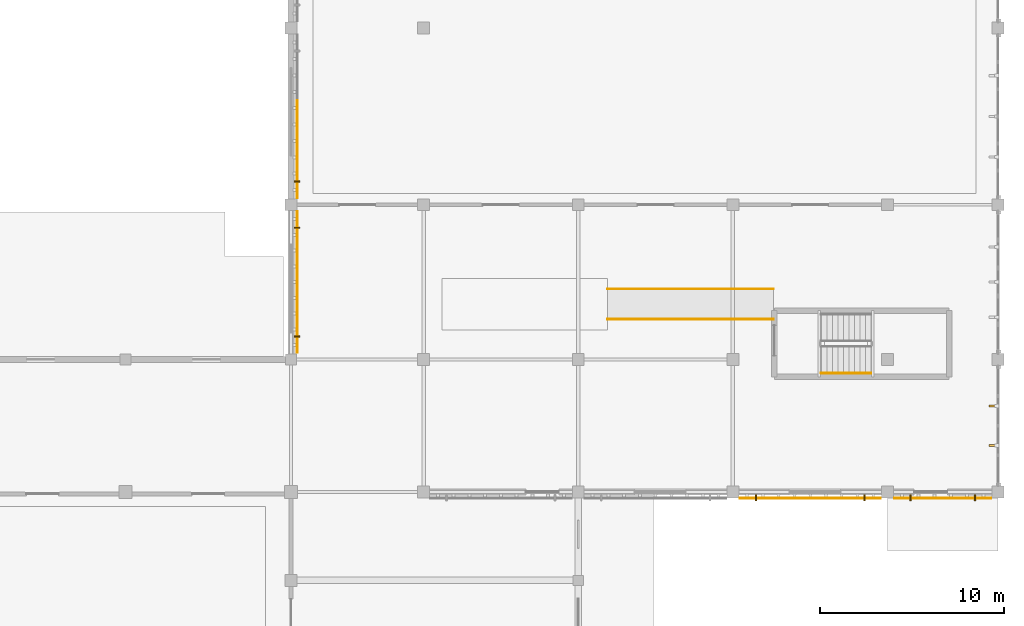
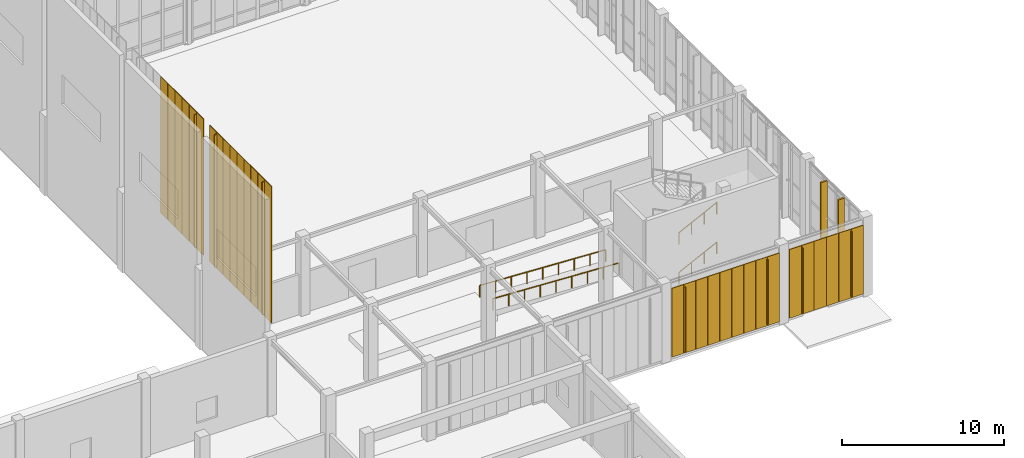
# One storey, part 107 of 110: 32 coverings, 7 shading devices, 4 railings.
"""IFC4 building model written with IfcOpenShell, lengths in metres."""

from ifc_helpers import new_model, si_unit, direction, frame, origin, origin_2d, place, context, subcontext, project, spatial, rectangle, circle, extrude, material, layer, layer_set, type_object, element, save


model = new_model("IFC4")

# Units and contexts
model_context = context("Model", 3, precision=1e-05, world=origin(), true_north=direction((0.0, 1.0)))
body_context = subcontext(model_context, "Body", "Model", "MODEL_VIEW")
ifc_project = project(units=[si_unit("LENGTHUNIT", "METRE"), si_unit("AREAUNIT", "SQUARE_METRE"), si_unit("VOLUMEUNIT", "CUBIC_METRE"), si_unit("PLANEANGLEUNIT", "RADIAN"), si_unit("MASSUNIT", "GRAM", prefix="KILO")], contexts=[model_context])

# Site, building, storey
site_placement = place(None, origin())
site = spatial("IfcSite", under=ifc_project, at=site_placement, CompositionType="ELEMENT")
building_placement = place(site_placement, origin())
building = spatial("IfcBuilding", under=site, at=building_placement, Name="Tizgana Railside Sports Hall", CompositionType="ELEMENT")
storey_placement = place(building_placement, origin())
storey = spatial("IfcBuildingStorey", under=building, at=storey_placement, Name="L00", CompositionType="ELEMENT", Elevation=0.0)

# Shading devices
ifc_material_1 = material(Name="Glulam GL28h", Category="wood")
shading_device_type = type_object("IfcShadingDeviceType", Name="Glulam Vertical Brise-Soleil Fin 320", PredefinedType="JALOUSIE", material=ifc_material_1)
for number, where, z_axis, x_axis, name in (
    (1, (164.949951171875, 72.8759765625, 0.449951171875), (0.0, 0.0, 1.0), (-1.0, 0.0, 0.0), "L00 Glulam Fin FIN-0005"),
    (2, (159.050048828125, 72.8759765625, 0.449951171875), (0.0, 0.0, 1.0), (-1.0, 0.0, 0.0), "L00 Glulam Fin FIN-0006"),
    (3, (170.949951171875, 72.8759765625, 0.449951171875), (0.0, 0.0, 1.0), (-1.0, 0.0, 0.0), "L00 Glulam Fin FIN-0007"),
    (4, (167.449951171875, 72.8759765625, 0.449951171875), (0.0, 0.0, 1.0), (-1.0, 0.0, 0.0), "L00 Glulam Fin FIN-0008"),
):
    element("IfcShadingDevice", number, at=place(storey_placement, frame(where, z_axis=z_axis, x_axis=x_axis)), inside=storey, type_object=shading_device_type, Name=name, PredefinedType="JALOUSIE", context=body_context, shape_type="SweptSolid", body=[
        extrude(rectangle(XDim=0.080078125, YDim=0.320068359375, at=origin_2d()), origin(), (0.0, 0.0, 1.0), 4.89990234375),
    ])
for number, where, z_axis, x_axis, name in (
    (5, (134.1240234375, 87.550048828125, 6.64990234375), (0.0, 0.0, 1.0), (0.0, -1.0, 0.0), "L00 Glulam Fin FIN-0009"),
    (6, (134.1240234375, 81.64990234375, 6.64990234375), (0.0, 0.0, 1.0), (0.0, -1.0, 0.0), "L00 Glulam Fin FIN-0010"),
    (7, (134.1240234375, 90.050048828125, 6.64990234375), (0.0, 0.0, 1.0), (0.0, -1.0, 0.0), "L00 Glulam Fin FIN-0012"),
):
    element("IfcShadingDevice", number, at=place(storey_placement, frame(where, z_axis=z_axis, x_axis=x_axis)), inside=storey, type_object=shading_device_type, Name=name, PredefinedType="JALOUSIE", context=body_context, shape_type="SweptSolid", body=[
        extrude(rectangle(XDim=0.080078125, YDim=0.320068359375, at=origin_2d()), origin(), (0.0, 0.0, 1.0), 10.0),
    ])

# Coverings
ifc_layer_1 = layer(ifc_material_1, 0.139892578125, Name="Glulam GL28h")
ifc_layer_set_1 = layer_set([ifc_layer_1], Name="Glulam GL28h")
covering_type_1 = type_object("IfcCoveringType", Name="Mass-Timber Brise-Soleil & Pergola Fin", PredefinedType="CLADDING", material=ifc_layer_set_1)
for number, where, z_axis, x_axis, name in (
    (8, (171.919921875, 75.726806640625, 0.0849609375), (0.0, 0.0, 1.0), (0.0, 1.0, 0.0), "L00 Timber Brise-Soleil Fin"),
    (9, (171.919921875, 77.873291015625, 0.0849609375), (0.0, 0.0, 1.0), (0.0, 1.0, 0.0), "L00 Timber Brise-Soleil Fin"),
):
    element("IfcCovering", number, at=place(storey_placement, frame(where, z_axis=z_axis, x_axis=x_axis)), inside=storey, type_object=covering_type_1, Name=name, PredefinedType="CLADDING", context=body_context, shape_type="SweptSolid", body=[
        extrude(rectangle(XDim=0.1201171875, YDim=0.43994140625, at=origin_2d()), origin(), (0.0, 0.0, 1.0), 5.635009765625),
    ])
ifc_material_2 = material(Name="Anodised perforated aluminium screen", Category="aluminium")
ifc_layer_2 = layer(ifc_material_2, 0.044921875, Name="Anodised perforated aluminium screen")
ifc_layer_set_2 = layer_set([ifc_layer_2], Name="Anodised perforated aluminium screen")
covering_type_2 = type_object("IfcCoveringType", Name="Perforated Aluminium Hall Screen 900", PredefinedType="CLADDING", material=ifc_layer_set_2)
for number, where, z_axis, x_axis, name in (
    (10, (165.422119140625, 72.85498046875, 0.2998046875), (0.0, 0.0, 1.0), (-1.0, 0.0, 0.0), "L00 Perforated Screen SCR-0439"),
    (11, (164.566650390625, 72.85498046875, 0.2998046875), (0.0, 0.0, 1.0), (-1.0, 0.0, 0.0), "L00 Perforated Screen SCR-0440"),
    (12, (163.711181640625, 72.85498046875, 0.2998046875), (0.0, 0.0, 1.0), (-1.0, 0.0, 0.0), "L00 Perforated Screen SCR-0441"),
    (13, (162.855712890625, 72.85498046875, 0.2998046875), (0.0, 0.0, 1.0), (-1.0, 0.0, 0.0), "L00 Perforated Screen SCR-0442"),
    (14, (162.0, 72.85498046875, 0.2998046875), (0.0, 0.0, 1.0), (-1.0, 0.0, 0.0), "L00 Perforated Screen SCR-0443"),
    (15, (161.144287109375, 72.85498046875, 0.2998046875), (0.0, 0.0, 1.0), (-1.0, 0.0, 0.0), "L00 Perforated Screen SCR-0444"),
    (16, (160.288818359375, 72.85498046875, 0.2998046875), (0.0, 0.0, 1.0), (-1.0, 0.0, 0.0), "L00 Perforated Screen SCR-0445"),
    (17, (159.433349609375, 72.85498046875, 0.2998046875), (0.0, 0.0, 1.0), (-1.0, 0.0, 0.0), "L00 Perforated Screen SCR-0446"),
    (18, (158.577880859375, 72.85498046875, 0.2998046875), (0.0, 0.0, 1.0), (-1.0, 0.0, 0.0), "L00 Perforated Screen SCR-0447"),
):
    element("IfcCovering", number, at=place(storey_placement, frame(where, z_axis=z_axis, x_axis=x_axis)), inside=storey, type_object=covering_type_2, Name=name, PredefinedType="CLADDING", context=body_context, shape_type="SweptSolid", body=[
        extrude(rectangle(XDim=0.837646484375, YDim=0.044921875, at=origin_2d()), origin(), (0.0, 0.0, 1.0), 5.199951171875),
    ])
for number, where, z_axis, x_axis, name in (
    (19, (171.408203125, 72.85498046875, 0.2998046875), (0.0, 0.0, 1.0), (-1.0, 0.0, 0.0), "L00 Perforated Screen SCR-0448"),
    (20, (170.52490234375, 72.85498046875, 0.2998046875), (0.0, 0.0, 1.0), (-1.0, 0.0, 0.0), "L00 Perforated Screen SCR-0449"),
    (21, (169.6416015625, 72.85498046875, 0.2998046875), (0.0, 0.0, 1.0), (-1.0, 0.0, 0.0), "L00 Perforated Screen SCR-0450"),
    (22, (168.75830078125, 72.85498046875, 0.2998046875), (0.0, 0.0, 1.0), (-1.0, 0.0, 0.0), "L00 Perforated Screen SCR-0451"),
    (23, (167.875, 72.85498046875, 0.2998046875), (0.0, 0.0, 1.0), (-1.0, 0.0, 0.0), "L00 Perforated Screen SCR-0452"),
    (24, (166.99169921875, 72.85498046875, 0.2998046875), (0.0, 0.0, 1.0), (-1.0, 0.0, 0.0), "L00 Perforated Screen SCR-0453"),
):
    element("IfcCovering", number, at=place(storey_placement, frame(where, z_axis=z_axis, x_axis=x_axis)), inside=storey, type_object=covering_type_2, Name=name, PredefinedType="CLADDING", context=body_context, shape_type="SweptSolid", body=[
        extrude(rectangle(XDim=0.865234375, YDim=0.044921875, at=origin_2d()), origin(), (0.0, 0.0, 1.0), 5.199951171875),
    ])
for number, where, z_axis, x_axis, name in (
    (25, (134.14501953125, 88.022216796875, 6.5), (0.0, 0.0, 1.0), (0.0, -1.0, 0.0), "L00 Perforated Screen SCR-0454"),
    (26, (134.14501953125, 87.166748046875, 6.5), (0.0, 0.0, 1.0), (0.0, -1.0, 0.0), "L00 Perforated Screen SCR-0455"),
    (27, (134.14501953125, 86.31103515625, 6.5), (0.0, 0.0, 1.0), (0.0, -1.0, 0.0), "L00 Perforated Screen SCR-0456"),
    (28, (134.14501953125, 85.45556640625, 6.5), (0.0, 0.0, 1.0), (0.0, -1.0, 0.0), "L00 Perforated Screen SCR-0457"),
    (29, (134.14501953125, 84.60009765625, 6.5), (0.0, 0.0, 1.0), (0.0, -1.0, 0.0), "L00 Perforated Screen SCR-0458"),
    (30, (134.14501953125, 83.744384765625, 6.5), (0.0, 0.0, 1.0), (0.0, -1.0, 0.0), "L00 Perforated Screen SCR-0459"),
    (31, (134.14501953125, 82.888916015625, 6.5), (0.0, 0.0, 1.0), (0.0, -1.0, 0.0), "L00 Perforated Screen SCR-0460"),
    (32, (134.14501953125, 82.033203125, 6.5), (0.0, 0.0, 1.0), (0.0, -1.0, 0.0), "L00 Perforated Screen SCR-0461"),
    (33, (134.14501953125, 81.177734375, 6.5), (0.0, 0.0, 1.0), (0.0, -1.0, 0.0), "L00 Perforated Screen SCR-0462"),
):
    element("IfcCovering", number, at=place(storey_placement, frame(where, z_axis=z_axis, x_axis=x_axis)), inside=storey, type_object=covering_type_2, Name=name, PredefinedType="CLADDING", context=body_context, shape_type="SweptSolid", body=[
        extrude(rectangle(XDim=0.837646484375, YDim=0.044921875, at=origin_2d()), origin(), (0.0, 0.0, 1.0), 10.300048828125),
    ])
for number, where, z_axis, x_axis, name in (
    (34, (134.14501953125, 94.044921875, 6.5), (0.0, 0.0, 1.0), (0.0, -1.0, 0.0), "L00 Perforated Screen SCR-0467"),
    (35, (134.14501953125, 93.155029296875, 6.5), (0.0, 0.0, 1.0), (0.0, -1.0, 0.0), "L00 Perforated Screen SCR-0468"),
    (36, (134.14501953125, 92.264892578125, 6.5), (0.0, 0.0, 1.0), (0.0, -1.0, 0.0), "L00 Perforated Screen SCR-0469"),
    (37, (134.14501953125, 91.375, 6.5), (0.0, 0.0, 1.0), (0.0, -1.0, 0.0), "L00 Perforated Screen SCR-0470"),
    (38, (134.14501953125, 90.485107421875, 6.5), (0.0, 0.0, 1.0), (0.0, -1.0, 0.0), "L00 Perforated Screen SCR-0471"),
    (39, (134.14501953125, 89.594970703125, 6.5), (0.0, 0.0, 1.0), (0.0, -1.0, 0.0), "L00 Perforated Screen SCR-0472"),
):
    element("IfcCovering", number, at=place(storey_placement, frame(where, z_axis=z_axis, x_axis=x_axis)), inside=storey, type_object=covering_type_2, Name=name, PredefinedType="CLADDING", context=body_context, shape_type="SweptSolid", body=[
        extrude(rectangle(XDim=0.8720703125, YDim=0.044921875, at=origin_2d()), origin(), (0.0, 0.0, 1.0), 10.300048828125),
    ])

# Railings
ifc_material_3 = material(Name="Brushed stainless steel", Category="steel")
railing_type = type_object("IfcRailingType", Name="Stair & Ramp Wall Handrail 900", PredefinedType="HANDRAIL", material=ifc_material_3)
for number, where, name in (
    (40, (162.60009765625, 79.64990234375, 0.14990234375), "L00 ST-09 stair handrail 1"),
    (41, (162.60009765625, 79.64990234375, 3.14990234375), "L00 ST-09 stair handrail 3"),
):
    element("IfcRailing", number, at=place(storey_placement, frame(where)), inside=storey, type_object=railing_type, Name=name, PredefinedType="HANDRAIL", context=body_context, shape_type="SweptSolid", body=[
        extrude(circle(Radius=0.02392578125, at=origin_2d()), frame((0.0, 0.0, 0.8759765625), z_axis=(0.894411015155, 0.0, 0.447245945728), x_axis=(0.0, 1.0, 0.0)), (0.0, 0.0, 1.0), 3.018798828125),
        extrude(circle(Radius=0.02099609375, at=origin_2d()), origin(), (0.0, 0.0, 1.0), 0.851806640625),
        extrude(circle(Radius=0.02099609375, at=origin_2d()), frame((0.89990234375, 0.0, 0.449951171875)), (0.0, 0.0, 1.0), 0.851806640625),
        extrude(circle(Radius=0.02099609375, at=origin_2d()), frame((1.800048828125, 0.0, 0.900146484375)), (0.0, 0.0, 1.0), 0.851806640625),
        extrude(circle(Radius=0.02099609375, at=origin_2d()), frame((2.699951171875, 0.0, 1.35009765625)), (0.0, 0.0, 1.0), 0.851806640625),
    ])
for number, where, name in (
    (42, (160.0, 82.580078125, 0.0), "L00 Ramp Handrail RHR-0007"),
    (43, (160.0, 84.219970703125, 0.0), "L00 Ramp Handrail RHR-0008"),
):
    element("IfcRailing", number, at=place(storey_placement, frame(where)), inside=storey, type_object=railing_type, Name=name, PredefinedType="HANDRAIL", context=body_context, shape_type="SweptSolid", body=[
        extrude(circle(Radius=0.02392578125, at=origin_2d()), frame((0.0, 0.0, 0.8759765625), z_axis=(-0.998752609117, 0.0, 0.049932211876), x_axis=(0.0, -1.0, 0.0)), (0.0, 0.0, 1.0), 9.01123046875),
        extrude(circle(Radius=0.02099609375, at=origin_2d()), origin(), (0.0, 0.0, 1.0), 0.851806640625),
        extrude(circle(Radius=0.02099609375, at=origin_2d()), frame((-1.125, 0.0, 0.05615234375)), (0.0, 0.0, 1.0), 0.851806640625),
        extrude(circle(Radius=0.02099609375, at=origin_2d()), frame((-2.25, 0.0, 0.112548828125)), (0.0, 0.0, 1.0), 0.851806640625),
        extrude(circle(Radius=0.02099609375, at=origin_2d()), frame((-3.375, 0.0, 0.168701171875)), (0.0, 0.0, 1.0), 0.851806640625),
        extrude(circle(Radius=0.02099609375, at=origin_2d()), frame((-4.5, 0.0, 0.22509765625)), (0.0, 0.0, 1.0), 0.851806640625),
        extrude(circle(Radius=0.02099609375, at=origin_2d()), frame((-5.625, 0.0, 0.28125)), (0.0, 0.0, 1.0), 0.851806640625),
        extrude(circle(Radius=0.02099609375, at=origin_2d()), frame((-6.75, 0.0, 0.33740234375)), (0.0, 0.0, 1.0), 0.851806640625),
        extrude(circle(Radius=0.02099609375, at=origin_2d()), frame((-7.875, 0.0, 0.393798828125)), (0.0, 0.0, 1.0), 0.851806640625),
        extrude(circle(Radius=0.02099609375, at=origin_2d()), frame((-9.0, 0.0, 0.449951171875)), (0.0, 0.0, 1.0), 0.851806640625),
    ])

save(model, "model.ifc")
